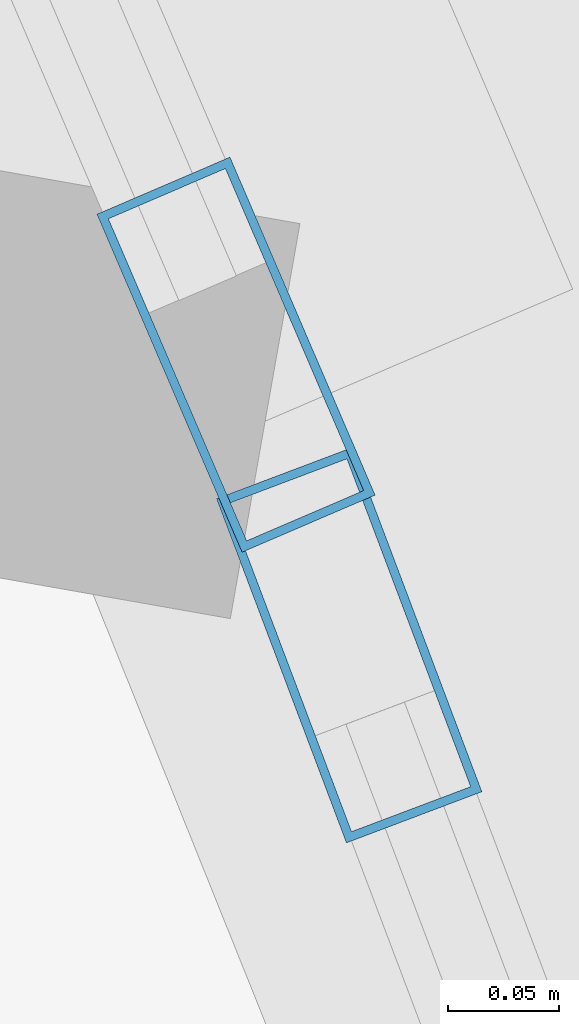
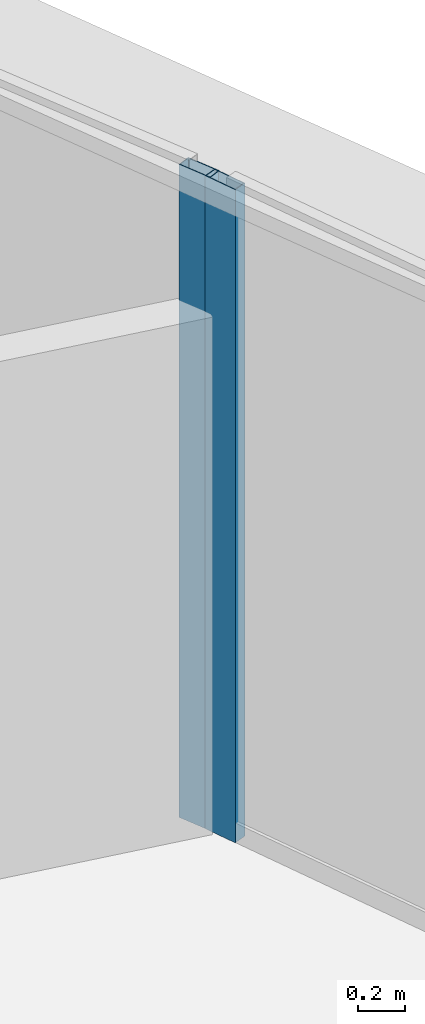
# One storey, part 23 of 42: 2 members, 2 elements without a shape of their own.
"""IFC4 building model written with IfcOpenShell, lengths in metres."""

from ifc_helpers import new_model, si_unit, direction, frame, origin, origin_2d, place, context, subcontext, project, spatial, hollow_rectangle, extrude, source, transform, mapped, material, layer, layer_set, material_profile, profile_set, type_object, element, aggregate, save


model = new_model("IFC4")

# Units and contexts
model_context = context("Model", 3, precision=1e-05, world=origin(), true_north=direction((0.0, 1.0)))
body_context = subcontext(model_context, "Body", "Model", "MODEL_VIEW")
ifc_project = project(units=[si_unit("LENGTHUNIT", "METRE"), si_unit("AREAUNIT", "SQUARE_METRE"), si_unit("VOLUMEUNIT", "CUBIC_METRE"), si_unit("PLANEANGLEUNIT", "RADIAN"), si_unit("MASSUNIT", "GRAM", prefix="KILO"), si_unit("THERMODYNAMICTEMPERATUREUNIT", "KELVIN"), si_unit("POWERUNIT", "WATT")], contexts=[model_context])

# Site, building, storey
site_placement = place(None, origin())
site = spatial("IfcSite", under=ifc_project, at=site_placement, CompositionType="ELEMENT")
building_placement = place(site_placement, origin())
building = spatial("IfcBuilding", under=site, at=building_placement, Name="Yunzhuo Pagoda Commons", CompositionType="ELEMENT")
storey_placement = place(building_placement, frame((0.0, 0.0, 41.2900390625)))
storey = spatial("IfcBuildingStorey", under=building, at=storey_placement, Name="L10", CompositionType="ELEMENT", Elevation=41.2900390625)

# Curtain wall, member
ifc_material = material(Name="Anodized aluminium 6063-T6", Category="aluminium")
ifc_layer = layer(ifc_material, 0.1650390625)
ifc_layer_set = layer_set([ifc_layer], Name="Anodized aluminium 6063-T6")
curtain_wall_type = type_object("IfcCurtainWallType", Name="CW-LOW Low-Zone Ribbon Curtain Wall", PredefinedType="NOTDEFINED", material=ifc_layer_set)
curtain_wall_1_placement = place(storey_placement, origin())
curtain_wall_1 = element("IfcCurtainWall", 1, at=curtain_wall_1_placement, inside=storey, type_object=curtain_wall_type, Name="L10 curtain wall CW-L10-F2B2", PredefinedType="NOTDEFINED")
ifc_material_profile = material_profile(ifc_material, hollow_rectangle(XDim=0.06494140625, YDim=0.1650390625, WallThickness=0.00390625, at=origin_2d()), Name="Anodized aluminium 6063-T6")
ifc_profile_set = profile_set([ifc_material_profile], Name="Anodized aluminium 6063-T6")
member_type = type_object("IfcMemberType", Name="CW-LOW-M Mullion RHS 165x65x4", PredefinedType="MULLION", material=ifc_profile_set)
shared_shape = source(origin(), body_context, "Body", "SweptSolid", [
    extrude(hollow_rectangle(XDim=0.06494140625, YDim=0.1650390625, WallThickness=0.00390625, at=origin_2d()), origin(), (0.0, 0.0, 1.0), 3.369873046875),
])
member_1_placement = place(storey_placement, frame((89.74658203125, 26.366455078125, 0.0), z_axis=(0.0, 0.0, 1.0), x_axis=(-0.918865619656, -0.394570618538, 0.0)))
member_1 = element("IfcMember", 2, at=member_1_placement, type_object=member_type, Name="CW mullion 1", PredefinedType="MULLION", context=body_context, shape_type="MappedRepresentation", body=[
    mapped(shared_shape, transform((0.0, 0.0, 0.0), scale=1.0)),
])
aggregate(curtain_wall_1, [member_1])

curtain_wall_2_placement = place(storey_placement, origin())
curtain_wall_2 = element("IfcCurtainWall", 3, at=curtain_wall_2_placement, inside=storey, type_object=curtain_wall_type, Name="L10 curtain wall CW-L10-F2B1", PredefinedType="NOTDEFINED")
member_2_placement = place(storey_placement, frame((89.79736328125, 26.236083984375, 0.0), z_axis=(0.0, 0.0, 1.0), x_axis=(-0.935566420146, -0.353150780113, 0.0)))
member_2 = element("IfcMember", 4, at=member_2_placement, type_object=member_type, Name="CW mullion 2", PredefinedType="MULLION", context=body_context, shape_type="MappedRepresentation", body=[
    mapped(shared_shape, transform((0.0, 0.0, 0.0), scale=1.0)),
])
aggregate(curtain_wall_2, [member_2])

save(model, "model.ifc")
